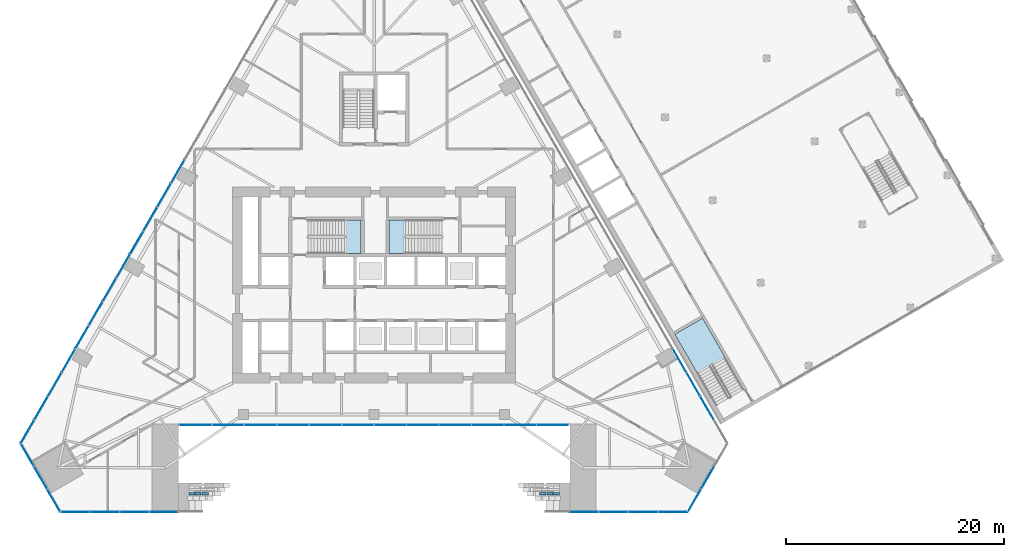
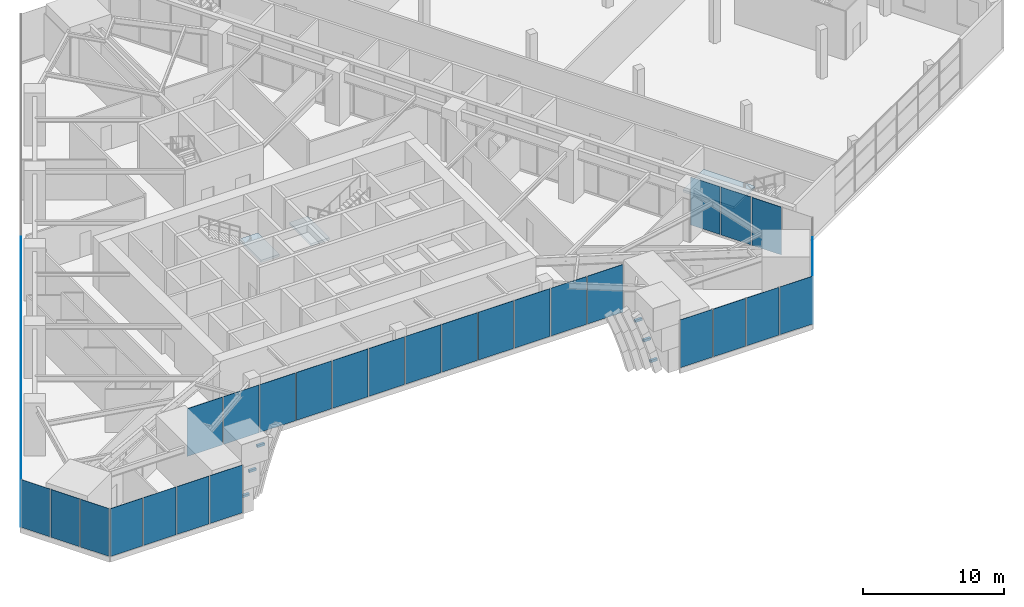
# One storey, part 14 of 29: 40 plates, 6 beams, 3 slabs, 10 elements without a shape of their own.
"""IFC4 building model written with IfcOpenShell, lengths in metres."""

from ifc_helpers import new_model, si_unit, direction, frame, origin, origin_2d, place, context, subcontext, project, spatial, polyline, rectangle, outline, extrude, material, layer, layer_set, material_profile, profile_set, type_object, element, aggregate, save


model = new_model("IFC4")

# Units and contexts
model_context = context("Model", 3, precision=1e-05, world=origin(), true_north=direction((0.0, 1.0)))
body_context = subcontext(model_context, "Body", "Model", "MODEL_VIEW")
ifc_project = project(units=[si_unit("LENGTHUNIT", "METRE"), si_unit("AREAUNIT", "SQUARE_METRE"), si_unit("VOLUMEUNIT", "CUBIC_METRE"), si_unit("PLANEANGLEUNIT", "RADIAN"), si_unit("MASSUNIT", "GRAM", prefix="KILO")], contexts=[model_context])

# Site, building, storey
site_placement = place(None, origin())
site = spatial("IfcSite", under=ifc_project, at=site_placement, CompositionType="ELEMENT")
building_placement = place(site_placement, origin())
building = spatial("IfcBuilding", under=site, at=building_placement, Name="Firuza Gate Tower and Library", CompositionType="ELEMENT")
storey_placement = place(building_placement, frame((0.0, 0.0, 8.0)))
storey = spatial("IfcBuildingStorey", under=building, at=storey_placement, Name="L01", CompositionType="ELEMENT", Elevation=8.0)

# Beams
ifc_material_1 = material(Name="Concrete C60/75", Category="concrete")
ifc_material_profile = material_profile(ifc_material_1, rectangle(XDim=0.199951171875, YDim=0.199951171875, at=origin_2d()))
ifc_profile_set = profile_set([ifc_material_profile], Name="Concrete C60/75")
beam_type = type_object("IfcBeamType", Name="Arch rib bracket 200x200", PredefinedType="BEAM", material=ifc_profile_set)
beam_1_placement = place(storey_placement, frame((57.962890625, 55.8154296875, 0.236328125), z_axis=(1.0, 0.0, 0.0), x_axis=(0.0, 1.0, 0.0)))
element("IfcBeam", 1, at=beam_1_placement, inside=storey, type_object=beam_type, Name="Arch rib bracket 2.5", PredefinedType="BEAM", context=body_context, shape_type="SweptSolid", body=[
    extrude(rectangle(XDim=0.199951171875, YDim=0.199951171875, at=origin_2d()), origin(), (0.0, 0.0, 1.0), 0.578125),
])
beam_2_placement = place(storey_placement, frame((58.5146484375, 55.8154296875, 2.222900390625), z_axis=(1.0, 0.0, 0.0), x_axis=(0.0, 1.0, 0.0)))
element("IfcBeam", 2, at=beam_2_placement, inside=storey, type_object=beam_type, Name="Arch rib bracket 2.6", PredefinedType="BEAM", context=body_context, shape_type="SweptSolid", body=[
    extrude(rectangle(XDim=0.199951171875, YDim=0.199951171875, at=origin_2d()), origin(), (0.0, 0.0, 1.0), 0.59423828125),
])
for number, where, z_axis, x_axis, name in (
    (3, (59.201416015625, 55.8154296875, 4.170166015625), (1.0, 0.0, 0.0), (0.0, 1.0, 0.0), "Arch rib bracket 2.7"),
    (4, (90.798583984375, 55.8154296875, 4.170166015625), (-1.0, 0.0, 0.0), (0.0, -1.0, 0.0), "Arch rib bracket 2.30"),
):
    element("IfcBeam", number, at=place(storey_placement, frame(where, z_axis=z_axis, x_axis=x_axis)), inside=storey, type_object=beam_type, Name=name, PredefinedType="BEAM", context=body_context, shape_type="SweptSolid", body=[
        extrude(rectangle(XDim=0.199951171875, YDim=0.199951171875, at=origin_2d()), origin(), (0.0, 0.0, 1.0), 0.595458984375),
    ])
beam_3_placement = place(storey_placement, frame((91.4853515625, 55.8154296875, 2.222900390625), z_axis=(-1.0, 0.0, 0.0), x_axis=(0.0, -1.0, 0.0)))
element("IfcBeam", 5, at=beam_3_placement, inside=storey, type_object=beam_type, Name="Arch rib bracket 2.31", PredefinedType="BEAM", context=body_context, shape_type="SweptSolid", body=[
    extrude(rectangle(XDim=0.199951171875, YDim=0.199951171875, at=origin_2d()), origin(), (0.0, 0.0, 1.0), 0.59423828125),
])
beam_4_placement = place(storey_placement, frame((92.037109375, 55.8154296875, 0.236328125), z_axis=(-1.0, 0.0, 0.0), x_axis=(0.0, -1.0, 0.0)))
element("IfcBeam", 6, at=beam_4_placement, inside=storey, type_object=beam_type, Name="Arch rib bracket 2.32", PredefinedType="BEAM", context=body_context, shape_type="SweptSolid", body=[
    extrude(rectangle(XDim=0.199951171875, YDim=0.199951171875, at=origin_2d()), origin(), (0.0, 0.0, 1.0), 0.578125),
])

# Curtain wall, plates
ifc_material_2 = material(Name="Aluminium 6063-T6", Category="aluminium")
ifc_layer_1 = layer(ifc_material_2, 0.14990234375)
ifc_layer_set_1 = layer_set([ifc_layer_1], Name="Stick curtain wall, podium")
curtain_wall_type_1 = type_object("IfcCurtainWallType", Name="Stick curtain wall, podium", PredefinedType="NOTDEFINED", material=ifc_layer_set_1)
placement_1 = place(storey_placement, origin())
curtain_wall_1 = element("IfcCurtainWall", 7, at=placement_1, inside=storey, type_object=curtain_wall_type_1, Name="CW5 L01 S", PredefinedType="NOTDEFINED")
ifc_material_3 = material(Name="Fritted glass", Category="glass")
ifc_layer_2 = layer(ifc_material_3, 0.030029296875)
ifc_layer_set_2 = layer_set([ifc_layer_2], Name="Clear glass unit, podium")
plate_type = type_object("IfcPlateType", Name="Clear glass unit, podium", PredefinedType="CURTAIN_PANEL", material=ifc_layer_set_2)
plate_1_placement = place(storey_placement, frame((46.19677734375, 54.12548828125, 0.14990234375), z_axis=(0.0, -1.0, 0.0), x_axis=(1.0, 0.0, 0.0)))
plate_1 = element("IfcPlate", 8, at=plate_1_placement, type_object=plate_type, Name="Glass unit", PredefinedType="CURTAIN_PANEL", context=body_context, shape_type="SweptSolid", body=[
    extrude(outline(polyline([(0.0, 0.0), (2.6494140625, 0.0), (2.6494140625, 4.150146484375), (0.0, 4.150146484375), (0.0, 0.0)])), origin(), (0.0, 0.0, -1.0), 0.030029296875),
])
plate_2_placement = place(storey_placement, frame((48.92626953125, 54.12548828125, 0.14990234375), z_axis=(0.0, -1.0, 0.0), x_axis=(1.0, 0.0, 0.0)))
plate_2 = element("IfcPlate", 9, at=plate_2_placement, type_object=plate_type, Name="Glass unit", PredefinedType="CURTAIN_PANEL", context=body_context, shape_type="SweptSolid", body=[
    extrude(outline(polyline([(0.0, 0.0), (2.649658203125, 0.0), (2.649658203125, 4.150146484375), (0.0, 4.150146484375), (0.0, 0.0)])), origin(), (0.0, 0.0, -1.0), 0.030029296875),
])
plate_3_placement = place(storey_placement, frame((51.65576171875, 54.12548828125, 0.14990234375), z_axis=(0.0, -1.0, 0.0), x_axis=(1.0, 0.0, 0.0)))
plate_3 = element("IfcPlate", 10, at=plate_3_placement, type_object=plate_type, Name="Glass unit", PredefinedType="CURTAIN_PANEL", context=body_context, shape_type="SweptSolid", body=[
    extrude(outline(polyline([(0.0, 0.0), (2.649658203125, 0.0), (2.649658203125, 4.150146484375), (0.0, 4.150146484375), (0.0, 0.0)])), origin(), (0.0, 0.0, -1.0), 0.030029296875),
])
plate_4_placement = place(storey_placement, frame((54.385498046875, 54.12548828125, 0.14990234375), z_axis=(0.0, -1.0, 0.0), x_axis=(1.0, 0.0, 0.0)))
plate_4 = element("IfcPlate", 11, at=plate_4_placement, type_object=plate_type, Name="Glass unit", PredefinedType="CURTAIN_PANEL", context=body_context, shape_type="SweptSolid", body=[
    extrude(outline(polyline([(0.0, 0.0), (2.6494140625, 0.0), (2.6494140625, 4.150146484375), (0.0, 4.150146484375), (0.0, 0.0)])), origin(), (0.0, 0.0, -1.0), 0.030029296875),
])
aggregate(curtain_wall_1, [plate_1, plate_2, plate_3, plate_4])

ifc_material_4 = material(Name="Aluminium 6063-T6", Category="aluminium")
ifc_layer_3 = layer(ifc_material_4, 0.14990234375)
ifc_layer_set_3 = layer_set([ifc_layer_3], Name="Stick curtain wall, gate lobby")
curtain_wall_type_2 = type_object("IfcCurtainWallType", Name="Stick curtain wall, gate lobby", PredefinedType="NOTDEFINED", material=ifc_layer_set_3)
curtain_wall_2 = element("IfcCurtainWall", 12, at=placement_1, inside=storey, type_object=curtain_wall_type_2, Name="CW7 L01 gate lobby", PredefinedType="NOTDEFINED")
plate_5_placement = place(storey_placement, frame((57.114990234375, 62.12548828125, 0.14990234375), z_axis=(0.0, -1.0, 0.0), x_axis=(1.0, 0.0, 0.0)))
plate_5 = element("IfcPlate", 13, at=plate_5_placement, type_object=plate_type, Name="Glass unit", PredefinedType="CURTAIN_PANEL", context=body_context, shape_type="SweptSolid", body=[
    extrude(outline(polyline([(0.0, 0.0), (2.907470703125, 0.0), (2.907470703125, 4.150146484375), (0.0, 4.150146484375), (0.0, 0.0)])), origin(), (0.0, 0.0, -1.0), 0.030029296875),
])
plate_6_placement = place(storey_placement, frame((60.1025390625, 62.12548828125, 0.14990234375), z_axis=(0.0, -1.0, 0.0), x_axis=(1.0, 0.0, 0.0)))
plate_6 = element("IfcPlate", 14, at=plate_6_placement, type_object=plate_type, Name="Glass unit", PredefinedType="CURTAIN_PANEL", context=body_context, shape_type="SweptSolid", body=[
    extrude(outline(polyline([(0.0, 0.0), (2.907470703125, 0.0), (2.907470703125, 4.150146484375), (0.0, 4.150146484375), (0.0, 0.0)])), origin(), (0.0, 0.0, -1.0), 0.030029296875),
])
plate_7_placement = place(storey_placement, frame((63.090087890625, 62.12548828125, 0.14990234375), z_axis=(0.0, -1.0, 0.0), x_axis=(1.0, 0.0, 0.0)))
plate_7 = element("IfcPlate", 15, at=plate_7_placement, type_object=plate_type, Name="Glass unit", PredefinedType="CURTAIN_PANEL", context=body_context, shape_type="SweptSolid", body=[
    extrude(outline(polyline([(0.0, 0.0), (2.907470703125, 0.0), (2.907470703125, 4.150146484375), (0.0, 4.150146484375), (0.0, 0.0)])), origin(), (0.0, 0.0, -1.0), 0.030029296875),
])
plate_8_placement = place(storey_placement, frame((66.077392578125, 62.12548828125, 0.14990234375), z_axis=(0.0, -1.0, 0.0), x_axis=(1.0, 0.0, 0.0)))
plate_8 = element("IfcPlate", 16, at=plate_8_placement, type_object=plate_type, Name="Glass unit", PredefinedType="CURTAIN_PANEL", context=body_context, shape_type="SweptSolid", body=[
    extrude(outline(polyline([(0.0, 0.0), (2.90771484375, 0.0), (2.90771484375, 4.150146484375), (0.0, 4.150146484375), (0.0, 0.0)])), origin(), (0.0, 0.0, -1.0), 0.030029296875),
])
plate_9_placement = place(storey_placement, frame((69.06494140625, 62.12548828125, 0.14990234375), z_axis=(0.0, -1.0, 0.0), x_axis=(1.0, 0.0, 0.0)))
plate_9 = element("IfcPlate", 17, at=plate_9_placement, type_object=plate_type, Name="Glass unit", PredefinedType="CURTAIN_PANEL", context=body_context, shape_type="SweptSolid", body=[
    extrude(outline(polyline([(0.0, 0.0), (2.907470703125, 0.0), (2.907470703125, 4.150146484375), (0.0, 4.150146484375), (0.0, 0.0)])), origin(), (0.0, 0.0, -1.0), 0.030029296875),
])
plate_10_placement = place(storey_placement, frame((72.052490234375, 62.12548828125, 0.14990234375), z_axis=(0.0, -1.0, 0.0), x_axis=(1.0, 0.0, 0.0)))
plate_10 = element("IfcPlate", 18, at=plate_10_placement, type_object=plate_type, Name="Glass unit", PredefinedType="CURTAIN_PANEL", context=body_context, shape_type="SweptSolid", body=[
    extrude(outline(polyline([(0.0, 0.0), (2.907470703125, 0.0), (2.907470703125, 4.150146484375), (0.0, 4.150146484375), (0.0, 0.0)])), origin(), (0.0, 0.0, -1.0), 0.030029296875),
])
plate_11_placement = place(storey_placement, frame((75.0400390625, 62.12548828125, 0.14990234375), z_axis=(0.0, -1.0, 0.0), x_axis=(1.0, 0.0, 0.0)))
plate_11 = element("IfcPlate", 19, at=plate_11_placement, type_object=plate_type, Name="Glass unit", PredefinedType="CURTAIN_PANEL", context=body_context, shape_type="SweptSolid", body=[
    extrude(outline(polyline([(0.0, 0.0), (2.907470703125, 0.0), (2.907470703125, 4.150146484375), (0.0, 4.150146484375), (0.0, 0.0)])), origin(), (0.0, 0.0, -1.0), 0.030029296875),
])
plate_12_placement = place(storey_placement, frame((78.027587890625, 62.12548828125, 0.14990234375), z_axis=(0.0, -1.0, 0.0), x_axis=(1.0, 0.0, 0.0)))
plate_12 = element("IfcPlate", 20, at=plate_12_placement, type_object=plate_type, Name="Glass unit", PredefinedType="CURTAIN_PANEL", context=body_context, shape_type="SweptSolid", body=[
    extrude(outline(polyline([(0.0, 0.0), (2.907470703125, 0.0), (2.907470703125, 4.150146484375), (0.0, 4.150146484375), (0.0, 0.0)])), origin(), (0.0, 0.0, -1.0), 0.030029296875),
])
plate_13_placement = place(storey_placement, frame((81.014892578125, 62.12548828125, 0.14990234375), z_axis=(0.0, -1.0, 0.0), x_axis=(1.0, 0.0, 0.0)))
plate_13 = element("IfcPlate", 21, at=plate_13_placement, type_object=plate_type, Name="Glass unit", PredefinedType="CURTAIN_PANEL", context=body_context, shape_type="SweptSolid", body=[
    extrude(outline(polyline([(0.0, 0.0), (2.90771484375, 0.0), (2.90771484375, 4.150146484375), (0.0, 4.150146484375), (0.0, 0.0)])), origin(), (0.0, 0.0, -1.0), 0.030029296875),
])
plate_14_placement = place(storey_placement, frame((84.00244140625, 62.12548828125, 0.14990234375), z_axis=(0.0, -1.0, 0.0), x_axis=(1.0, 0.0, 0.0)))
plate_14 = element("IfcPlate", 22, at=plate_14_placement, type_object=plate_type, Name="Glass unit", PredefinedType="CURTAIN_PANEL", context=body_context, shape_type="SweptSolid", body=[
    extrude(outline(polyline([(0.0, 0.0), (2.907470703125, 0.0), (2.907470703125, 4.150146484375), (0.0, 4.150146484375), (0.0, 0.0)])), origin(), (0.0, 0.0, -1.0), 0.030029296875),
])
plate_15_placement = place(storey_placement, frame((86.989990234375, 62.12548828125, 0.14990234375), z_axis=(0.0, -1.0, 0.0), x_axis=(1.0, 0.0, 0.0)))
plate_15 = element("IfcPlate", 23, at=plate_15_placement, type_object=plate_type, Name="Glass unit", PredefinedType="CURTAIN_PANEL", context=body_context, shape_type="SweptSolid", body=[
    extrude(outline(polyline([(0.0, 0.0), (2.907470703125, 0.0), (2.907470703125, 4.150146484375), (0.0, 4.150146484375), (0.0, 0.0)])), origin(), (0.0, 0.0, -1.0), 0.030029296875),
])
plate_16_placement = place(storey_placement, frame((89.9775390625, 62.12548828125, 0.14990234375), z_axis=(0.0, -1.0, 0.0), x_axis=(1.0, 0.0, 0.0)))
plate_16 = element("IfcPlate", 24, at=plate_16_placement, type_object=plate_type, Name="Glass unit", PredefinedType="CURTAIN_PANEL", context=body_context, shape_type="SweptSolid", body=[
    extrude(outline(polyline([(0.0, 0.0), (2.907470703125, 0.0), (2.907470703125, 4.150146484375), (0.0, 4.150146484375), (0.0, 0.0)])), origin(), (0.0, 0.0, -1.0), 0.030029296875),
])
aggregate(curtain_wall_2, [plate_5, plate_6, plate_7, plate_8, plate_9, plate_10, plate_11, plate_12, plate_13, plate_14, plate_15, plate_16])

curtain_wall_3 = element("IfcCurtainWall", 25, at=placement_1, inside=storey, type_object=curtain_wall_type_1, Name="CW5 L01 S", PredefinedType="NOTDEFINED")
plate_17_placement = place(storey_placement, frame((92.965087890625, 54.12548828125, 0.14990234375), z_axis=(0.0, -1.0, 0.0), x_axis=(1.0, 0.0, 0.0)))
plate_17 = element("IfcPlate", 26, at=plate_17_placement, type_object=plate_type, Name="Glass unit", PredefinedType="CURTAIN_PANEL", context=body_context, shape_type="SweptSolid", body=[
    extrude(outline(polyline([(0.0, 0.0), (2.6494140625, 0.0), (2.6494140625, 4.150146484375), (0.0, 4.150146484375), (0.0, 0.0)])), origin(), (0.0, 0.0, -1.0), 0.030029296875),
])
plate_18_placement = place(storey_placement, frame((95.694580078125, 54.12548828125, 0.14990234375), z_axis=(0.0, -1.0, 0.0), x_axis=(1.0, 0.0, 0.0)))
plate_18 = element("IfcPlate", 27, at=plate_18_placement, type_object=plate_type, Name="Glass unit", PredefinedType="CURTAIN_PANEL", context=body_context, shape_type="SweptSolid", body=[
    extrude(outline(polyline([(0.0, 0.0), (2.649658203125, 0.0), (2.649658203125, 4.150146484375), (0.0, 4.150146484375), (0.0, 0.0)])), origin(), (0.0, 0.0, -1.0), 0.030029296875),
])
plate_19_placement = place(storey_placement, frame((98.424072265625, 54.12548828125, 0.14990234375), z_axis=(0.0, -1.0, 0.0), x_axis=(1.0, 0.0, 0.0)))
plate_19 = element("IfcPlate", 28, at=plate_19_placement, type_object=plate_type, Name="Glass unit", PredefinedType="CURTAIN_PANEL", context=body_context, shape_type="SweptSolid", body=[
    extrude(outline(polyline([(0.0, 0.0), (2.649658203125, 0.0), (2.649658203125, 4.150146484375), (0.0, 4.150146484375), (0.0, 0.0)])), origin(), (0.0, 0.0, -1.0), 0.030029296875),
])
plate_20_placement = place(storey_placement, frame((101.15380859375, 54.12548828125, 0.14990234375), z_axis=(0.0, -1.0, 0.0), x_axis=(1.0, 0.0, 0.0)))
plate_20 = element("IfcPlate", 29, at=plate_20_placement, type_object=plate_type, Name="Glass unit", PredefinedType="CURTAIN_PANEL", context=body_context, shape_type="SweptSolid", body=[
    extrude(outline(polyline([(0.0, 0.0), (2.6494140625, 0.0), (2.6494140625, 4.150146484375), (0.0, 4.150146484375), (0.0, 0.0)])), origin(), (0.0, 0.0, -1.0), 0.030029296875),
])
aggregate(curtain_wall_3, [plate_17, plate_18, plate_19, plate_20])

curtain_wall_4 = element("IfcCurtainWall", 30, at=placement_1, inside=storey, type_object=curtain_wall_type_1, Name="CW5 L01 SE", PredefinedType="NOTDEFINED")
plate_21_placement = place(storey_placement, frame((103.876220703125, 54.16748046875, 0.14990234375), z_axis=(0.866002109674, -0.500040344412, 0.0), x_axis=(0.500040344412, 0.866002109674, 0.0)))
plate_21 = element("IfcPlate", 31, at=plate_21_placement, type_object=plate_type, Name="Glass unit", PredefinedType="CURTAIN_PANEL", context=body_context, shape_type="SweptSolid", body=[
    extrude(outline(polyline([(0.0, 0.0), (2.348931561223719, 0.0), (2.348931561223719, 4.150146484375), (0.0, 4.150146484375), (0.0, 0.0)])), origin(), (0.0, 0.0, -1.0), 0.030029296875),
])
plate_22_placement = place(storey_placement, frame((105.0908203125, 56.27099609375, 0.14990234375), z_axis=(0.866047116916, -0.499962389866, 0.0), x_axis=(0.499962389866, 0.866047116916, 0.0)))
plate_22 = element("IfcPlate", 32, at=plate_22_placement, type_object=plate_type, Name="Glass unit", PredefinedType="CURTAIN_PANEL", context=body_context, shape_type="SweptSolid", body=[
    extrude(outline(polyline([(0.0, 0.0), (2.3488094905771977, 0.0), (2.3488094905771977, 4.150146484375001), (0.0, 4.150146484375001), (0.0, 0.0)])), origin(), (0.0, 0.0, -1.0), 0.030029296875),
])
aggregate(curtain_wall_4, [plate_21, plate_22])

curtain_wall_5 = element("IfcCurtainWall", 33, at=placement_1, inside=storey, type_object=curtain_wall_type_1, Name="CW5 L01 E", PredefinedType="NOTDEFINED")
plate_23_placement = place(storey_placement, frame((106.2255859375, 62.6650390625, 0.14990234375), z_axis=(0.866013120021, 0.500021275498, 0.0), x_axis=(-0.500021275498, 0.866013120021, 0.0)))
plate_23 = element("IfcPlate", 34, at=plate_23_placement, type_object=plate_type, Name="Glass unit", PredefinedType="CURTAIN_PANEL", context=body_context, shape_type="SweptSolid", body=[
    extrude(outline(polyline([(0.0, 0.0), (2.428119337352694, 0.0), (2.428119337352694, 4.150146484374999), (0.0, 4.150146484374999), (0.0, 0.0)])), origin(), (0.0, 0.0, -1.0), 0.030029296875),
])
plate_24_placement = place(storey_placement, frame((104.971435546875, 64.837158203125, 0.14990234375), z_axis=(0.866013120021, 0.500021275498, 0.0), x_axis=(-0.500021275498, 0.866013120021, 0.0)))
plate_24 = element("IfcPlate", 35, at=plate_24_placement, type_object=plate_type, Name="Glass unit", PredefinedType="CURTAIN_PANEL", context=body_context, shape_type="SweptSolid", body=[
    extrude(outline(polyline([(0.0, 0.0), (2.428119337352694, 0.0), (2.428119337352694, 4.150146484374999), (0.0, 4.150146484374999), (0.0, 0.0)])), origin(), (0.0, 0.0, -1.0), 0.030029296875),
])
plate_25_placement = place(storey_placement, frame((103.717529296875, 67.00927734375, 0.14990234375), z_axis=(0.866013120021, 0.500021275498, 0.0), x_axis=(-0.500021275498, 0.866013120021, 0.0)))
plate_25 = element("IfcPlate", 36, at=plate_25_placement, type_object=plate_type, Name="Glass unit", PredefinedType="CURTAIN_PANEL", context=body_context, shape_type="SweptSolid", body=[
    extrude(outline(polyline([(0.0, 0.0), (2.428119337352694, 0.0), (2.428119337352694, 4.150146484374999), (0.0, 4.150146484374999), (0.0, 0.0)])), origin(), (0.0, 0.0, -1.0), 0.030029296875),
])
aggregate(curtain_wall_5, [plate_23, plate_24, plate_25])

curtain_wall_6 = element("IfcCurtainWall", 37, at=placement_1, inside=storey, type_object=curtain_wall_type_1, Name="CW5 L01 W", PredefinedType="NOTDEFINED")
plate_26_placement = place(storey_placement, frame((57.529052734375, 86.48876953125, 0.14990234375), z_axis=(-0.866013120021, 0.500021275498, 0.0), x_axis=(-0.500021275498, -0.866013120021, 0.0)))
plate_26 = element("IfcPlate", 38, at=plate_26_placement, type_object=plate_type, Name="Glass unit", PredefinedType="CURTAIN_PANEL", context=body_context, shape_type="SweptSolid", body=[
    extrude(outline(polyline([(0.0, 0.0), (2.428119337352694, 0.0), (2.428119337352694, 4.150146484374999), (0.0, 4.150146484374999), (0.0, 0.0)])), origin(), (0.0, 0.0, -1.0), 0.030029296875),
])
plate_27_placement = place(storey_placement, frame((56.275146484375, 84.316650390625, 0.14990234375), z_axis=(-0.866013120021, 0.500021275498, 0.0), x_axis=(-0.500021275498, -0.866013120021, 0.0)))
plate_27 = element("IfcPlate", 39, at=plate_27_placement, type_object=plate_type, Name="Glass unit", PredefinedType="CURTAIN_PANEL", context=body_context, shape_type="SweptSolid", body=[
    extrude(outline(polyline([(0.0, 0.0), (2.428119337352694, 0.0), (2.428119337352694, 4.150146484374999), (0.0, 4.150146484374999), (0.0, 0.0)])), origin(), (0.0, 0.0, -1.0), 0.030029296875),
])
plate_28_placement = place(storey_placement, frame((55.02099609375, 82.14453125, 0.14990234375), z_axis=(-0.866013120021, 0.500021275498, 0.0), x_axis=(-0.500021275498, -0.866013120021, 0.0)))
plate_28 = element("IfcPlate", 40, at=plate_28_placement, type_object=plate_type, Name="Glass unit", PredefinedType="CURTAIN_PANEL", context=body_context, shape_type="SweptSolid", body=[
    extrude(outline(polyline([(0.0, 0.0), (2.428119337352694, 0.0), (2.428119337352694, 4.150146484374999), (0.0, 4.150146484374999), (0.0, 0.0)])), origin(), (0.0, 0.0, -1.0), 0.030029296875),
])
plate_29_placement = place(storey_placement, frame((53.766845703125, 79.972412109375, 0.14990234375), z_axis=(-0.866056658381, 0.499945861543, 0.0), x_axis=(-0.499945861543, -0.866056658381, 0.0)))
plate_29 = element("IfcPlate", 41, at=plate_29_placement, type_object=plate_type, Name="Glass unit", PredefinedType="CURTAIN_PANEL", context=body_context, shape_type="SweptSolid", body=[
    extrude(outline(polyline([(0.0, 0.0), (2.4279972710515545, 0.0), (2.4279972710515545, 4.150146484375), (0.0, 4.150146484375), (0.0, 0.0)])), origin(), (0.0, 0.0, -1.0), 0.030029296875),
])
plate_30_placement = place(storey_placement, frame((52.512939453125, 77.80029296875, 0.14990234375), z_axis=(-0.866013120021, 0.500021275498, 0.0), x_axis=(-0.500021275498, -0.866013120021, 0.0)))
plate_30 = element("IfcPlate", 42, at=plate_30_placement, type_object=plate_type, Name="Glass unit", PredefinedType="CURTAIN_PANEL", context=body_context, shape_type="SweptSolid", body=[
    extrude(outline(polyline([(0.0, 0.0), (2.428119337352694, 0.0), (2.428119337352694, 4.150146484374999), (0.0, 4.150146484374999), (0.0, 0.0)])), origin(), (0.0, 0.0, -1.0), 0.030029296875),
])
plate_31_placement = place(storey_placement, frame((51.2587890625, 75.628173828125, 0.14990234375), z_axis=(-0.866013120021, 0.500021275498, 0.0), x_axis=(-0.500021275498, -0.866013120021, 0.0)))
plate_31 = element("IfcPlate", 43, at=plate_31_placement, type_object=plate_type, Name="Glass unit", PredefinedType="CURTAIN_PANEL", context=body_context, shape_type="SweptSolid", body=[
    extrude(outline(polyline([(0.0, 0.0), (2.428119337352694, 0.0), (2.428119337352694, 4.150146484374999), (0.0, 4.150146484374999), (0.0, 0.0)])), origin(), (0.0, 0.0, -1.0), 0.030029296875),
])
plate_32_placement = place(storey_placement, frame((50.004638671875, 73.4560546875, 0.14990234375), z_axis=(-0.866056658381, 0.499945861543, 0.0), x_axis=(-0.499945861543, -0.866056658381, 0.0)))
plate_32 = element("IfcPlate", 44, at=plate_32_placement, type_object=plate_type, Name="Glass unit", PredefinedType="CURTAIN_PANEL", context=body_context, shape_type="SweptSolid", body=[
    extrude(outline(polyline([(0.0, 0.0), (2.4279972710515545, 0.0), (2.4279972710515545, 4.150146484375), (0.0, 4.150146484375), (0.0, 0.0)])), origin(), (0.0, 0.0, -1.0), 0.030029296875),
])
plate_33_placement = place(storey_placement, frame((48.750732421875, 71.2841796875, 0.14990234375), z_axis=(-0.86603825568, 0.499977739203, 0.0), x_axis=(-0.499977739203, -0.86603825568, 0.0)))
plate_33 = element("IfcPlate", 45, at=plate_33_placement, type_object=plate_type, Name="Glass unit", PredefinedType="CURTAIN_PANEL", context=body_context, shape_type="SweptSolid", body=[
    extrude(outline(polyline([(0.0, 0.0), (2.428330769405526, 0.0), (2.428330769405526, 4.150146484375), (0.0, 4.150146484375), (0.0, 0.0)])), origin(), (0.0, 0.0, -1.0), 0.030029296875),
])
plate_34_placement = place(storey_placement, frame((47.49658203125, 69.112060546875, 0.14990234375), z_axis=(-0.866013120021, 0.500021275498, 0.0), x_axis=(-0.500021275498, -0.866013120021, 0.0)))
plate_34 = element("IfcPlate", 46, at=plate_34_placement, type_object=plate_type, Name="Glass unit", PredefinedType="CURTAIN_PANEL", context=body_context, shape_type="SweptSolid", body=[
    extrude(outline(polyline([(0.0, 0.0), (2.428119337352694, 0.0), (2.428119337352694, 4.150146484374999), (0.0, 4.150146484374999), (0.0, 0.0)])), origin(), (0.0, 0.0, -1.0), 0.030029296875),
])
plate_35_placement = place(storey_placement, frame((46.24267578125, 66.93994140625, 0.14990234375), z_axis=(-0.866013120021, 0.500021275498, 0.0), x_axis=(-0.500021275498, -0.866013120021, 0.0)))
plate_35 = element("IfcPlate", 47, at=plate_35_placement, type_object=plate_type, Name="Glass unit", PredefinedType="CURTAIN_PANEL", context=body_context, shape_type="SweptSolid", body=[
    extrude(outline(polyline([(0.0, 0.0), (2.428119337352694, 0.0), (2.428119337352694, 4.150146484374999), (0.0, 4.150146484374999), (0.0, 0.0)])), origin(), (0.0, 0.0, -1.0), 0.030029296875),
])
plate_36_placement = place(storey_placement, frame((44.988525390625, 64.767822265625, 0.14990234375), z_axis=(-0.866013120021, 0.500021275498, 0.0), x_axis=(-0.500021275498, -0.866013120021, 0.0)))
plate_36 = element("IfcPlate", 48, at=plate_36_placement, type_object=plate_type, Name="Glass unit", PredefinedType="CURTAIN_PANEL", context=body_context, shape_type="SweptSolid", body=[
    extrude(outline(polyline([(0.0, 0.0), (2.428119337352694, 0.0), (2.428119337352694, 4.150146484374999), (0.0, 4.150146484374999), (0.0, 0.0)])), origin(), (0.0, 0.0, -1.0), 0.030029296875),
])
plate_37_placement = place(storey_placement, frame((43.734375, 62.595703125, 0.14990234375), z_axis=(-0.866056658381, 0.499945861543, 0.0), x_axis=(-0.499945861543, -0.866056658381, 0.0)))
plate_37 = element("IfcPlate", 49, at=plate_37_placement, type_object=plate_type, Name="Glass unit", PredefinedType="CURTAIN_PANEL", context=body_context, shape_type="SweptSolid", body=[
    extrude(outline(polyline([(0.0, 0.0), (2.4279972710515545, 0.0), (2.4279972710515545, 4.150146484375), (0.0, 4.150146484375), (0.0, 0.0)])), origin(), (0.0, 0.0, -1.0), 0.030029296875),
])
aggregate(curtain_wall_6, [plate_26, plate_27, plate_28, plate_29, plate_30, plate_31, plate_32, plate_33, plate_34, plate_35, plate_36, plate_37])

curtain_wall_7 = element("IfcCurtainWall", 50, at=placement_1, inside=storey, type_object=curtain_wall_type_1, Name="CW5 L01 SW", PredefinedType="NOTDEFINED")
plate_38_placement = place(storey_placement, frame((42.5205078125, 60.40869140625, 0.14990234375), z_axis=(-0.866047116916, -0.499962389866, 0.0), x_axis=(0.499962389866, -0.866047116916, 0.0)))
plate_38 = element("IfcPlate", 51, at=plate_38_placement, type_object=plate_type, Name="Glass unit", PredefinedType="CURTAIN_PANEL", context=body_context, shape_type="SweptSolid", body=[
    extrude(outline(polyline([(0.0, 0.0), (2.3488094905771977, 0.0), (2.3488094905771977, 4.150146484375001), (0.0, 4.150146484375001), (0.0, 0.0)])), origin(), (0.0, 0.0, -1.0), 0.030029296875),
])
plate_39_placement = place(storey_placement, frame((43.73486328125, 58.30517578125, 0.14990234375), z_axis=(-0.866047116916, -0.499962389866, 0.0), x_axis=(0.499962389866, -0.866047116916, 0.0)))
plate_39 = element("IfcPlate", 52, at=plate_39_placement, type_object=plate_type, Name="Glass unit", PredefinedType="CURTAIN_PANEL", context=body_context, shape_type="SweptSolid", body=[
    extrude(outline(polyline([(0.0, 0.0), (2.3488094905771977, 0.0), (2.3488094905771977, 4.150146484375001), (0.0, 4.150146484375001), (0.0, 0.0)])), origin(), (0.0, 0.0, -1.0), 0.030029296875),
])
plate_40_placement = place(storey_placement, frame((44.94921875, 56.20166015625, 0.14990234375), z_axis=(-0.866002109674, -0.500040344412, 0.0), x_axis=(0.500040344412, -0.866002109674, 0.0)))
plate_40 = element("IfcPlate", 53, at=plate_40_placement, type_object=plate_type, Name="Glass unit", PredefinedType="CURTAIN_PANEL", context=body_context, shape_type="SweptSolid", body=[
    extrude(outline(polyline([(0.0, 0.0), (2.348931561223719, 0.0), (2.348931561223719, 4.150146484375), (0.0, 4.150146484375), (0.0, 0.0)])), origin(), (0.0, 0.0, -1.0), 0.030029296875),
])
aggregate(curtain_wall_7, [plate_38, plate_39, plate_40])

# Stair, slab
ifc_material_5 = material(Name="Concrete C40/50", Category="concrete")
stair_type_1 = type_object("IfcStairType", Name="LIB STAIR", PredefinedType="HALF_TURN_STAIR", material=ifc_material_5)
stair_1 = element("IfcStair", 54, at=placement_1, inside=storey, type_object=stair_type_1, Name="L01 Exit stair B", PredefinedType="HALF_TURN_STAIR")
ifc_material_6 = material(Name="Concrete C40/50", Category="concrete")
ifc_layer_4 = layer(ifc_material_6, 0.199951171875)
ifc_layer_set_4 = layer_set([ifc_layer_4], Name="LIB STAIR LANDING")
slab_type_1 = type_object("IfcSlabType", Name="LIB STAIR LANDING", PredefinedType="LANDING", material=ifc_layer_set_4)
placement_2 = place(storey_placement, frame((0.0, 0.0, 2.10009765625)))
slab_1 = element("IfcSlab", 55, at=placement_2, type_object=slab_type_1, Name="LIB-ST-B landing 1", PredefinedType="LANDING", context=body_context, shape_type="SweptSolid", body=[
    extrude(outline(polyline([(107.304443359375, 68.316162109375), (105.2041015625, 71.9541015625), (102.6494140625, 70.47900390625), (104.749755859375, 66.84130859375), (107.304443359375, 68.316162109375)])), origin(), (0.0, 0.0, 1.0), 0.199951171875),
])
aggregate(stair_1, [slab_1])

ifc_material_7 = material(Name="Concrete C35/45", Category="concrete")
stair_type_2 = type_object("IfcStairType", Name="Exit stair ST4", PredefinedType="HALF_TURN_STAIR", material=ifc_material_7)
stair_2 = element("IfcStair", 56, at=placement_1, inside=storey, type_object=stair_type_2, Name="L01 Stair ST1", PredefinedType="HALF_TURN_STAIR")
ifc_material_8 = material(Name="Concrete C35/45", Category="concrete")
ifc_layer_5 = layer(ifc_material_8, 0.199951171875)
ifc_layer_set_5 = layer_set([ifc_layer_5], Name="Stair landing 200")
slab_type_2 = type_object("IfcSlabType", Name="Stair landing 200", PredefinedType="LANDING", material=ifc_layer_set_5)
slab_2 = element("IfcSlab", 57, at=placement_2, type_object=slab_type_2, Name="ST1 landing 1", PredefinedType="LANDING", context=body_context, shape_type="SweptSolid", body=[
    extrude(outline(polyline([(72.300048828125, 77.89990234375), (73.81005859375, 77.89990234375), (73.81005859375, 80.97998046875), (72.300048828125, 80.97998046875), (72.300048828125, 77.89990234375)])), origin(), (0.0, 0.0, 1.0), 0.199951171875),
])
aggregate(stair_2, [slab_2])

stair_3 = element("IfcStair", 58, at=placement_1, inside=storey, type_object=stair_type_2, Name="L01 Stair ST2", PredefinedType="HALF_TURN_STAIR")
slab_3 = element("IfcSlab", 59, at=placement_2, type_object=slab_type_2, Name="ST2 landing 1", PredefinedType="LANDING", context=body_context, shape_type="SweptSolid", body=[
    extrude(outline(polyline([(77.89990234375, 80.97998046875), (76.389892578125, 80.97998046875), (76.389892578125, 77.89990234375), (77.89990234375, 77.89990234375), (77.89990234375, 80.97998046875)])), origin(), (0.0, 0.0, 1.0), 0.199951171875),
])
aggregate(stair_3, [slab_3])

save(model, "model.ifc")
